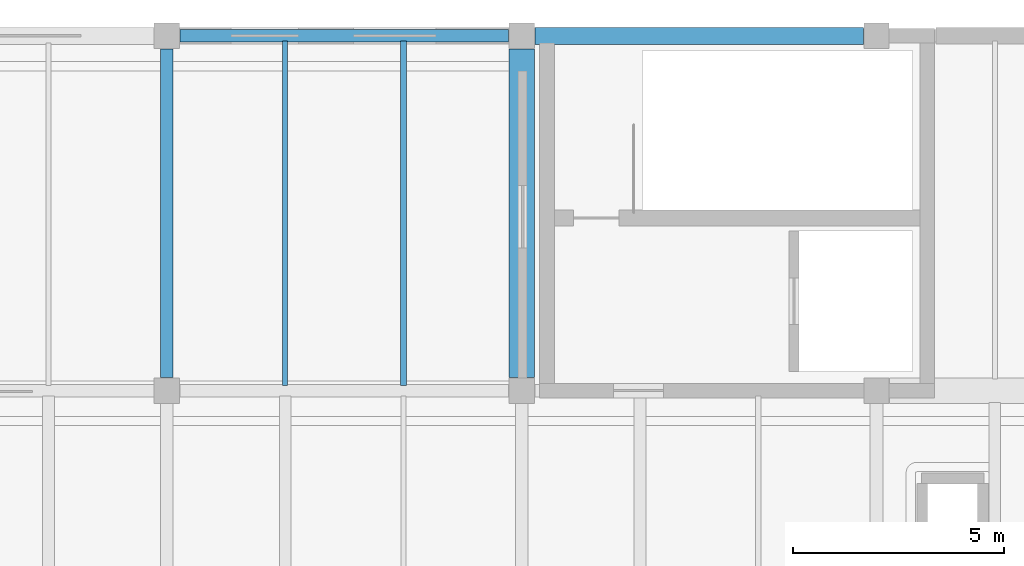
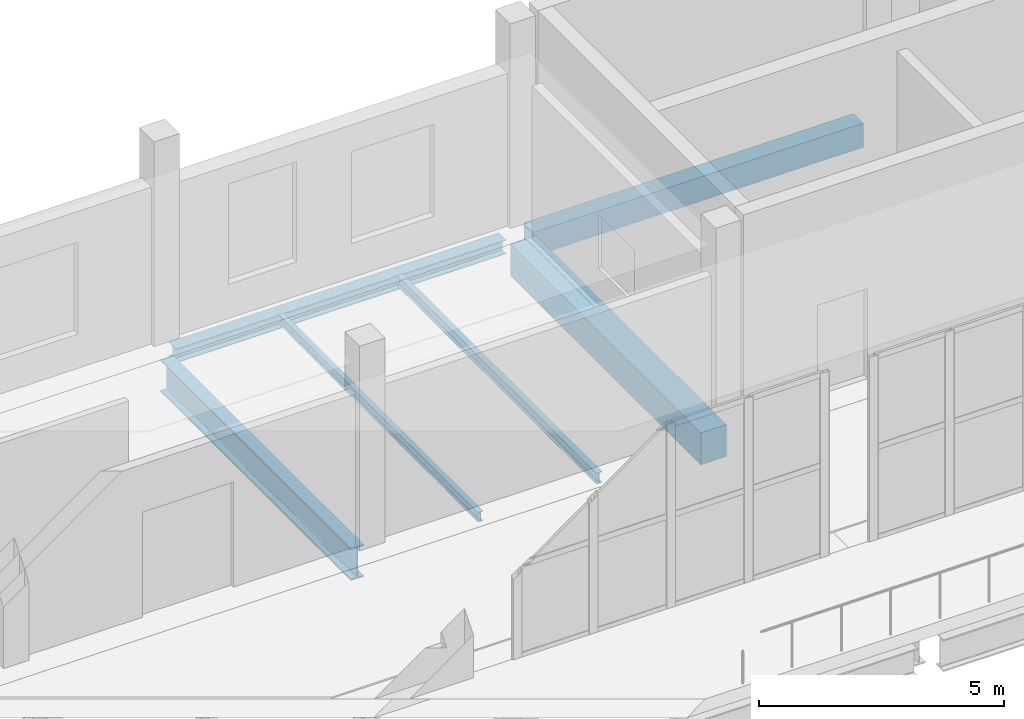
# One storey, part 33 of 77: 6 beams.
"""IFC4 building model written with IfcOpenShell, lengths in metres."""

from ifc_helpers import new_model, si_unit, direction, frame, origin, origin_2d, place, context, subcontext, project, spatial, rectangle, i_section, extrude, material, material_profile, profile_set, type_object, element, save


model = new_model("IFC4")

# Units and contexts
model_context = context("Model", 3, precision=1e-05, world=origin(), true_north=direction((0.0, 1.0)))
body_context = subcontext(model_context, "Body", "Model", "MODEL_VIEW")
ifc_project = project(units=[si_unit("LENGTHUNIT", "METRE"), si_unit("AREAUNIT", "SQUARE_METRE"), si_unit("VOLUMEUNIT", "CUBIC_METRE"), si_unit("PLANEANGLEUNIT", "RADIAN"), si_unit("MASSUNIT", "GRAM", prefix="KILO")], contexts=[model_context])

# Site, building, storey
site_placement = place(None, origin())
site = spatial("IfcSite", under=ifc_project, at=site_placement, CompositionType="ELEMENT")
building_placement = place(site_placement, origin())
building = spatial("IfcBuilding", under=site, at=building_placement, Name="Zulmaris Art Gallery", CompositionType="ELEMENT")
storey_placement = place(building_placement, frame((0.0, 0.0, 15.60009765625)))
storey = spatial("IfcBuildingStorey", under=building, at=storey_placement, Name="L03", CompositionType="ELEMENT", Elevation=15.60009765625)

# Beams
ifc_material_1 = material(Name="Steel S355J2", Category="steel")
ifc_material_profile_1 = material_profile(ifc_material_1, i_section(OverallWidth=0.300048828125, OverallDepth=0.800048828125, WebThickness=0.017578125, FlangeThickness=0.032958984375, FilletRadius=0.030029296875, at=origin_2d()), Name="HEB 800")
ifc_profile_set_1 = profile_set([ifc_material_profile_1], Name="Steel S355J2")
beam_type_1 = type_object("IfcBeamType", Name="BEAM-BM17", PredefinedType="BEAM", material=ifc_profile_set_1)
beam_1_placement = place(storey_placement, frame((108.0, 67.510009765625, -0.77001953125), z_axis=(0.0, 1.0, 0.0), x_axis=(-1.0, 0.0, 0.0)))
element("IfcBeam", 1, at=beam_1_placement, inside=storey, type_object=beam_type_1, Name="L03 Y-girder (x=108.0, 67.2..75.6)", PredefinedType="BEAM", context=body_context, shape_type="SweptSolid", body=[
    extrude(i_section(OverallWidth=0.300048828125, OverallDepth=0.800048828125, WebThickness=0.017578125, FlangeThickness=0.032958984375, FilletRadius=0.030029296875, at=origin_2d()), origin(), (0.0, 0.0, 1.0), 7.780029296875),
])
ifc_material_2 = material(Name="Concrete C40/50", Category="concrete")
ifc_material_profile_2 = material_profile(ifc_material_2, rectangle(XDim=0.60009765625, YDim=0.800048828125, at=origin_2d()), Name="RC 600x800")
ifc_profile_set_2 = profile_set([ifc_material_profile_2], Name="Concrete C40/50")
beam_type_2 = type_object("IfcBeamType", Name="BEAM-BM27", PredefinedType="BEAM", material=ifc_profile_set_2)
beam_2_placement = place(storey_placement, frame((116.39990234375, 67.510009765625, -0.77001953125), z_axis=(0.0, 1.0, 0.0), x_axis=(-1.0, 0.0, 0.0)))
element("IfcBeam", 2, at=beam_2_placement, inside=storey, type_object=beam_type_2, Name="L03 Y-girder (x=116.4, 67.2..75.6)", PredefinedType="BEAM", context=body_context, shape_type="SweptSolid", body=[
    extrude(rectangle(XDim=0.60009765625, YDim=0.800048828125, at=origin_2d()), origin(), (0.0, 0.0, 1.0), 7.780029296875),
])
ifc_material_profile_3 = material_profile(ifc_material_1, i_section(OverallWidth=0.1201171875, OverallDepth=0.239990234375, WebThickness=0.006103515625, FlangeThickness=0.009765625, FilletRadius=0.014892578125, at=origin_2d()), Name="IPE 240")
ifc_profile_set_3 = profile_set([ifc_material_profile_3], Name="Steel S355J2")
beam_type_3 = type_object("IfcBeamType", Name="BEAM-JS01", PredefinedType="JOIST", material=ifc_profile_set_3)
beam_3_placement = place(storey_placement, frame((110.800048828125, 67.324951171875, -0.489990234375), z_axis=(0.0, 1.0, 0.0), x_axis=(-1.0, 0.0, 0.0)))
element("IfcBeam", 3, at=beam_3_placement, inside=storey, type_object=beam_type_3, Name="L03 secondary joist at x=110.8", PredefinedType="JOIST", context=body_context, shape_type="SweptSolid", body=[
    extrude(i_section(OverallWidth=0.1201171875, OverallDepth=0.239990234375, WebThickness=0.006103515625, FlangeThickness=0.009765625, FilletRadius=0.014892578125, at=origin_2d()), origin(), (0.0, 0.0, 1.0), 8.150146484375),
])
ifc_material_profile_4 = material_profile(ifc_material_1, i_section(OverallWidth=0.135009765625, OverallDepth=0.27001953125, WebThickness=0.006591796875, FlangeThickness=0.01025390625, FilletRadius=0.014892578125, at=origin_2d()), Name="IPE 270")
ifc_profile_set_4 = profile_set([ifc_material_profile_4], Name="Steel S355J2")
beam_type_4 = type_object("IfcBeamType", Name="BEAM-JS02", PredefinedType="JOIST", material=ifc_profile_set_4)
beam_4_placement = place(storey_placement, frame((113.60009765625, 67.324951171875, -0.505126953125), z_axis=(0.0, 1.0, 0.0), x_axis=(-1.0, 0.0, 0.0)))
element("IfcBeam", 4, at=beam_4_placement, inside=storey, type_object=beam_type_4, Name="L03 secondary joist at x=113.6", PredefinedType="JOIST", context=body_context, shape_type="SweptSolid", body=[
    extrude(i_section(OverallWidth=0.135009765625, OverallDepth=0.27001953125, WebThickness=0.006591796875, FlangeThickness=0.01025390625, FilletRadius=0.014892578125, at=origin_2d()), origin(), (0.0, 0.0, 1.0), 8.150146484375),
])
ifc_material_profile_5 = material_profile(ifc_material_1, i_section(OverallWidth=0.300048828125, OverallDepth=0.35009765625, WebThickness=0.010009765625, FlangeThickness=0.017578125, FilletRadius=0.027099609375, at=origin_2d()), Name="HEA 360")
ifc_profile_set_5 = profile_set([ifc_material_profile_5], Name="Steel S355J2")
beam_type_5 = type_object("IfcBeamType", Name="BEAM-SP01", PredefinedType="SPANDREL", material=ifc_profile_set_5)
beam_5_placement = place(storey_placement, frame((108.31005859375, 75.60009765625, -0.545166015625), z_axis=(1.0, 0.0, 0.0), x_axis=(0.0, 1.0, 0.0)))
element("IfcBeam", 5, at=beam_5_placement, inside=storey, type_object=beam_type_5, Name="L03 X-girder (108.0..116.4, y=75.6)", PredefinedType="SPANDREL", context=body_context, shape_type="SweptSolid", body=[
    extrude(i_section(OverallWidth=0.300048828125, OverallDepth=0.35009765625, WebThickness=0.010009765625, FlangeThickness=0.017578125, FilletRadius=0.027099609375, at=origin_2d()), origin(), (0.0, 0.0, 1.0), 7.780029296875),
])
ifc_material_profile_6 = material_profile(ifc_material_2, rectangle(XDim=0.39990234375, YDim=0.60009765625, at=origin_2d()), Name="RC 400x600")
ifc_profile_set_6 = profile_set([ifc_material_profile_6], Name="Concrete C40/50")
beam_type_6 = type_object("IfcBeamType", Name="BEAM-SP03", PredefinedType="SPANDREL", material=ifc_profile_set_6)
beam_6_placement = place(storey_placement, frame((116.7099609375, 75.60009765625, -0.670166015625), z_axis=(1.0, 0.0, 0.0), x_axis=(0.0, 1.0, 0.0)))
element("IfcBeam", 6, at=beam_6_placement, inside=storey, type_object=beam_type_6, Name="L03 X-girder (116.4..124.8, y=75.6)", PredefinedType="SPANDREL", context=body_context, shape_type="SweptSolid", body=[
    extrude(rectangle(XDim=0.39990234375, YDim=0.60009765625, at=origin_2d()), origin(), (0.0, 0.0, 1.0), 7.780029296875),
])

save(model, "model.ifc")
